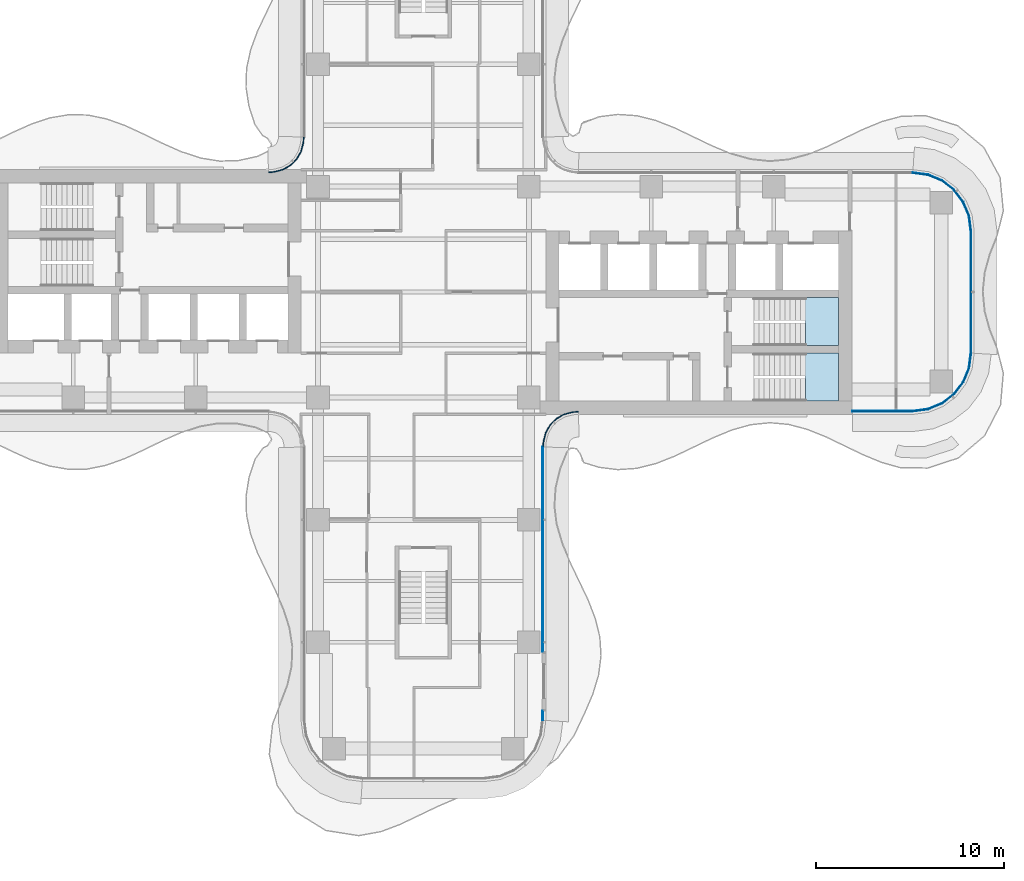
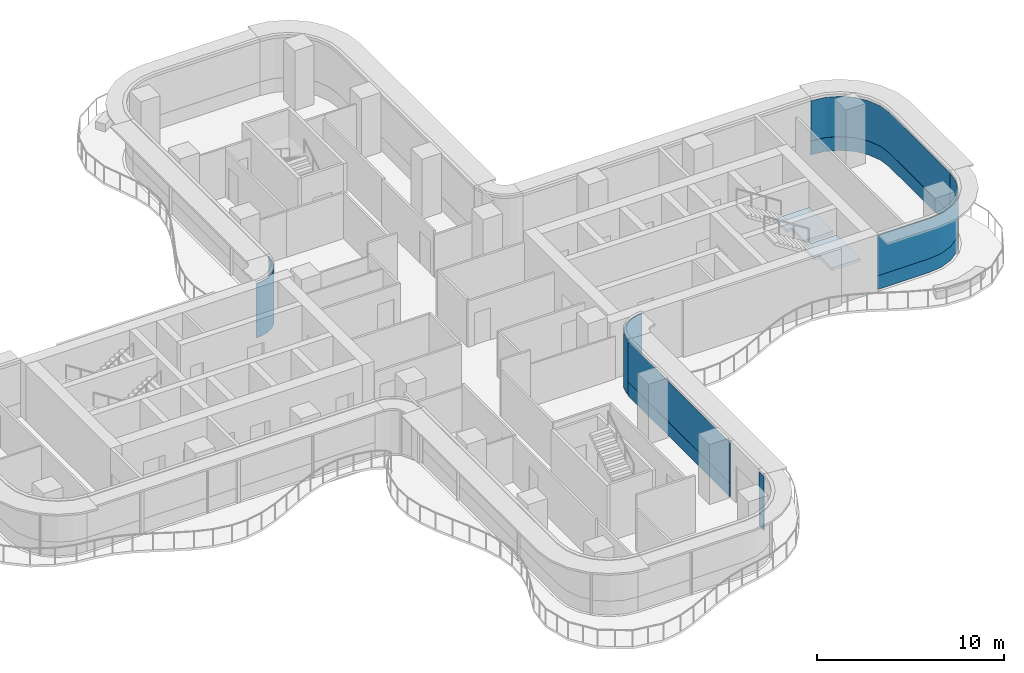
# One storey, part 11 of 18: 10 plates, 2 slabs, 8 elements without a shape of their own.
"""IFC4 building model written with IfcOpenShell, lengths in metres."""

from ifc_helpers import new_model, si_unit, direction, frame, origin, place, context, subcontext, project, spatial, polyline, outline, extrude, source, transform, mapped, material, layer, layer_set, type_object, element, aggregate, save


model = new_model("IFC4")

# Units and contexts
model_context = context("Model", 3, precision=1e-05, world=origin(), true_north=direction((0.0, 1.0)))
body_context = subcontext(model_context, "Body", "Model", "MODEL_VIEW")
ifc_project = project(units=[si_unit("LENGTHUNIT", "METRE"), si_unit("AREAUNIT", "SQUARE_METRE"), si_unit("VOLUMEUNIT", "CUBIC_METRE"), si_unit("PLANEANGLEUNIT", "RADIAN"), si_unit("MASSUNIT", "GRAM", prefix="KILO")], contexts=[model_context])

# Site, building, storey
site_placement = place(None, origin())
site = spatial("IfcSite", under=ifc_project, at=site_placement, CompositionType="ELEMENT")
building_placement = place(site_placement, origin())
building = spatial("IfcBuilding", under=site, at=building_placement, Name="Trellis Farm Tower", CompositionType="ELEMENT")
storey_placement = place(building_placement, frame((0.0, 0.0, 169.800048828125)))
storey = spatial("IfcBuildingStorey", under=building, at=storey_placement, Name="L36", CompositionType="ELEMENT", Elevation=169.800048828125)

# Stair, slab
ifc_material_1 = material(Name="Concrete C50/60", Category="concrete")
stair_type = type_object("IfcStairType", Name="CORE EXIT STAIR 22 RISERS 177 MM", PredefinedType="HALF_TURN_STAIR", material=ifc_material_1)
placement_1 = place(storey_placement, origin())
stair_1 = element("IfcStair", 1, at=placement_1, inside=storey, type_object=stair_type, Name="Exit stair E1", PredefinedType="HALF_TURN_STAIR")
ifc_layer_1 = layer(ifc_material_1, 0.18994140625)
ifc_layer_set_1 = layer_set([ifc_layer_1], Name="CORE STAIR LANDING 190 CONCRETE C50/60")
slab_type = type_object("IfcSlabType", Name="CORE STAIR LANDING 190 CONCRETE C50/60", PredefinedType="LANDING", material=ifc_layer_set_1)
shared_shape_1 = source(origin(), body_context, "Body", "SweptSolid", [
    extrude(outline(polyline([(20.2900390625, -5.800048828125), (20.2900390625, -4.60009765625), (20.300048828125, -4.60009765625), (20.300048828125, -4.449951171875), (19.971923828125, -4.449951171875), (19.971923828125, -3.25), (20.300048828125, -3.25), (22.050048828125, -3.25), (22.050048828125, -5.800048828125), (20.300048828125, -5.800048828125), (20.2900390625, -5.800048828125)])), origin(), (0.0, 0.0, 1.0), 0.18994140625),
])
placement_2 = place(storey_placement, frame((0.0, 0.0, 1.760009765625)))
slab_1 = element("IfcSlab", 2, at=placement_2, type_object=slab_type, Name="STE1 landing 1", PredefinedType="LANDING", context=body_context, shape_type="MappedRepresentation", body=[
    mapped(shared_shape_1, transform((0.0, 0.0, 0.0))),
])
aggregate(stair_1, [slab_1])

stair_2 = element("IfcStair", 3, at=placement_1, inside=storey, type_object=stair_type, Name="Exit stair E2", PredefinedType="HALF_TURN_STAIR")
shared_shape_2 = source(origin(), body_context, "Body", "SweptSolid", [
    extrude(outline(polyline([(20.2900390625, -2.85009765625), (20.2900390625, -1.64990234375), (20.300048828125, -1.64990234375), (20.300048828125, -1.5), (19.971923828125, -1.5), (19.971923828125, -0.300048828125), (20.300048828125, -0.300048828125), (22.050048828125, -0.300048828125), (22.050048828125, -2.85009765625), (20.300048828125, -2.85009765625), (20.2900390625, -2.85009765625)])), origin(), (0.0, 0.0, 1.0), 0.18994140625),
])
slab_2 = element("IfcSlab", 4, at=placement_2, type_object=slab_type, Name="STE2 landing 1", PredefinedType="LANDING", context=body_context, shape_type="MappedRepresentation", body=[
    mapped(shared_shape_2, transform((0.0, 0.0, 0.0))),
])
aggregate(stair_2, [slab_2])

# Curtain wall, plate
ifc_material_2 = material(Name="Aluminium and glass curtain wall", Category="aluminium")
ifc_layer_2 = layer(ifc_material_2, 0.18994140625)
ifc_layer_set_2 = layer_set([ifc_layer_2], Name="RIBBON CURTAIN WALL CW1")
curtain_wall_type_1 = type_object("IfcCurtainWallType", Name="RIBBON CURTAIN WALL CW1", PredefinedType="NOTDEFINED", material=ifc_layer_set_2)
curtain_wall_1 = element("IfcCurtainWall", 5, at=placement_1, inside=storey, type_object=curtain_wall_type_1, Name="CW1 006", PredefinedType="NOTDEFINED")
ifc_material_3 = material(Name="Sandstone faced insulated panel", Category="masonry")
ifc_layer_3 = layer(ifc_material_3, 0.050048828125)
ifc_layer_set_3 = layer_set([ifc_layer_3], Name="CW1 STONE SPANDREL PANEL 50")
plate_type_1 = type_object("IfcPlateType", Name="CW1 STONE SPANDREL PANEL 50", PredefinedType="CURTAIN_PANEL", material=ifc_layer_set_3)
shared_shape_3 = source(origin(), body_context, "Body", "SweptSolid", [
    extrude(outline(polyline([(22.780029296875, -6.35009765625), (25.990234375, -6.35009765625), (26.802001953125, -6.2431640625), (27.54931640625, -5.93359375), (28.191162109375, -5.441162109375), (28.68359375, -4.79931640625), (28.9931640625, -4.052001953125), (29.10009765625, -3.240234375), (29.050048828125, -3.23681640625), (28.9443359375, -4.0390625), (28.639892578125, -4.774169921875), (28.155517578125, -5.405517578125), (27.524169921875, -5.889892578125), (26.7890625, -6.1943359375), (25.98681640625, -6.300048828125), (22.780029296875, -6.300048828125), (22.780029296875, -6.35009765625)])), origin(), (0.0, 0.0, 1.0), 0.89990234375),
])
plate_1 = element("IfcPlate", 6, at=placement_1, type_object=plate_type_1, Name="PS1 006", PredefinedType="CURTAIN_PANEL", context=body_context, shape_type="MappedRepresentation", body=[
    mapped(shared_shape_3, transform((0.0, 0.0, 0.0))),
])

curtain_wall_2 = element("IfcCurtainWall", 7, at=placement_1, inside=storey, type_object=curtain_wall_type_1, Name="CW1 007", PredefinedType="NOTDEFINED")
shared_shape_4 = source(origin(), body_context, "Body", "SweptSolid", [
    extrude(outline(polyline([(29.10009765625, -3.240234375), (29.10009765625, 3.240234375), (28.9931640625, 4.052001953125), (28.68359375, 4.79931640625), (28.191162109375, 5.441162109375), (27.54931640625, 5.93359375), (26.802001953125, 6.2431640625), (25.990234375, 6.35009765625), (25.98681640625, 6.300048828125), (26.7890625, 6.1943359375), (27.524169921875, 5.889892578125), (28.155517578125, 5.405517578125), (28.639892578125, 4.774169921875), (28.9443359375, 4.0390625), (29.050048828125, 3.23681640625), (29.050048828125, -3.23681640625), (29.10009765625, -3.240234375)])), origin(), (0.0, 0.0, 1.0), 0.89990234375),
])
plate_2 = element("IfcPlate", 8, at=placement_1, type_object=plate_type_1, Name="PS1 007", PredefinedType="CURTAIN_PANEL", context=body_context, shape_type="MappedRepresentation", body=[
    mapped(shared_shape_4, transform((0.0, 0.0, 0.0))),
])

ifc_layer_4 = layer(ifc_material_2, 0.166015625)
ifc_layer_set_4 = layer_set([ifc_layer_4], Name="WINTER GARDEN CURTAIN WALL CW3")
curtain_wall_type_2 = type_object("IfcCurtainWallType", Name="WINTER GARDEN CURTAIN WALL CW3", PredefinedType="NOTDEFINED", material=ifc_layer_set_4)
curtain_wall_3 = element("IfcCurtainWall", 9, at=placement_1, inside=storey, type_object=curtain_wall_type_2, Name="CW3 002", PredefinedType="NOTDEFINED")
ifc_material_4 = material(Name="Clear insulated glass", Category="glass")
ifc_layer_5 = layer(ifc_material_4, 0.0458984375)
ifc_layer_set_5 = layer_set([ifc_layer_5], Name="CW3 GLASS PANEL 46")
plate_type_2 = type_object("IfcPlateType", Name="CW3 GLASS PANEL 46", PredefinedType="CURTAIN_PANEL", material=ifc_layer_set_5)
shared_shape_5 = source(origin(), body_context, "Body", "SweptSolid", [
    extrude(outline(polyline([(6.3798828125, -8.2275390625), (6.394287109375, -8.0078125), (6.40966796875, -7.89208984375), (6.52490234375, -7.462158203125), (6.7509765625, -7.070556640625), (7.070556640625, -6.7509765625), (7.462158203125, -6.52490234375), (7.89208984375, -6.40966796875), (8.0078125, -6.394287109375), (8.2275390625, -6.3798828125), (8.22607421875, -6.333984375), (8.003173828125, -6.3486328125), (7.883056640625, -6.364501953125), (7.4443359375, -6.48193359375), (7.04248046875, -6.714111328125), (6.714111328125, -7.04248046875), (6.48193359375, -7.4443359375), (6.364501953125, -7.883056640625), (6.3486328125, -8.003173828125), (6.333984375, -8.22607421875), (6.3798828125, -8.2275390625)])), origin(), (0.0, 0.0, 1.0), 3.550048828125),
])
plate_3 = element("IfcPlate", 10, at=placement_1, type_object=plate_type_2, Name="PL3 002", PredefinedType="CURTAIN_PANEL", context=body_context, shape_type="MappedRepresentation", body=[
    mapped(shared_shape_5, transform((0.0, 0.0, 0.0))),
])
aggregate(curtain_wall_3, [plate_3])

curtain_wall_4 = element("IfcCurtainWall", 11, at=placement_1, inside=storey, type_object=curtain_wall_type_2, Name="CW3 004", PredefinedType="NOTDEFINED")
shared_shape_6 = source(origin(), body_context, "Body", "SweptSolid", [
    extrude(outline(polyline([(-6.3798828125, 8.2275390625), (-6.394287109375, 8.0078125), (-6.40966796875, 7.89208984375), (-6.52490234375, 7.462158203125), (-6.7509765625, 7.070556640625), (-7.070556640625, 6.7509765625), (-7.462158203125, 6.52490234375), (-7.89208984375, 6.40966796875), (-8.0078125, 6.394287109375), (-8.2275390625, 6.3798828125), (-8.22607421875, 6.333984375), (-8.003173828125, 6.3486328125), (-7.883056640625, 6.364501953125), (-7.4443359375, 6.48193359375), (-7.04248046875, 6.714111328125), (-6.714111328125, 7.04248046875), (-6.48193359375, 7.4443359375), (-6.364501953125, 7.883056640625), (-6.3486328125, 8.003173828125), (-6.333984375, 8.22607421875), (-6.3798828125, 8.2275390625)])), origin(), (0.0, 0.0, 1.0), 3.550048828125),
])
plate_4 = element("IfcPlate", 12, at=placement_1, type_object=plate_type_2, Name="PL3 004", PredefinedType="CURTAIN_PANEL", context=body_context, shape_type="MappedRepresentation", body=[
    mapped(shared_shape_6, transform((0.0, 0.0, 0.0))),
])
aggregate(curtain_wall_4, [plate_4])

curtain_wall_5 = element("IfcCurtainWall", 13, at=placement_1, inside=storey, type_object=curtain_wall_type_1, Name="CW1 004", PredefinedType="NOTDEFINED")
shared_shape_7 = source(origin(), body_context, "Body", "SweptSolid", [
    extrude(outline(polyline([(6.35009765625, -22.740234375), (6.35009765625, -22.235107421875), (6.300048828125, -22.235107421875), (6.300048828125, -22.73681640625), (6.35009765625, -22.740234375)])), origin(), (0.0, 0.0, 1.0), 0.89990234375),
])
plate_5 = element("IfcPlate", 14, at=placement_1, type_object=plate_type_1, Name="PS1 004", PredefinedType="CURTAIN_PANEL", context=body_context, shape_type="MappedRepresentation", body=[
    mapped(shared_shape_7, transform((0.0, 0.0, 0.0))),
])

curtain_wall_6 = element("IfcCurtainWall", 15, at=placement_1, inside=storey, type_object=curtain_wall_type_1, Name="CW1 005", PredefinedType="NOTDEFINED")
shared_shape_8 = source(origin(), body_context, "Body", "SweptSolid", [
    extrude(outline(polyline([(6.35009765625, -19.114990234375), (6.35009765625, -8.2265625), (6.300048828125, -8.224853515625), (6.300048828125, -19.114990234375), (6.35009765625, -19.114990234375)])), origin(), (0.0, 0.0, 1.0), 0.89990234375),
])
plate_6 = element("IfcPlate", 16, at=placement_1, type_object=plate_type_1, Name="PS1 005", PredefinedType="CURTAIN_PANEL", context=body_context, shape_type="MappedRepresentation", body=[
    mapped(shared_shape_8, transform((0.0, 0.0, 0.0))),
])

# Plate
ifc_layer_6 = layer(ifc_material_4, 0.0400390625)
ifc_layer_set_6 = layer_set([ifc_layer_6], Name="CW1 GLASS PANEL 40")
plate_type_3 = type_object("IfcPlateType", Name="CW1 GLASS PANEL 40", PredefinedType="CURTAIN_PANEL", material=ifc_layer_set_6)
shared_shape_9 = source(origin(), body_context, "Body", "SweptSolid", [
    extrude(outline(polyline([(22.780029296875, -6.35009765625), (25.990234375, -6.35009765625), (26.802001953125, -6.2431640625), (27.54931640625, -5.93359375), (28.191162109375, -5.441162109375), (28.68359375, -4.79931640625), (28.9931640625, -4.052001953125), (29.10009765625, -3.240234375), (29.06005859375, -3.237548828125), (28.9541015625, -4.04150390625), (28.648681640625, -4.779296875), (28.16259765625, -5.41259765625), (27.529296875, -5.898681640625), (26.79150390625, -6.2041015625), (25.987548828125, -6.31005859375), (22.780029296875, -6.31005859375), (22.780029296875, -6.35009765625)])), origin(), (0.0, 0.0, 1.0), 2.6201171875),
])
placement_3 = place(storey_placement, frame((0.0, 0.0, 0.89990234375)))
plate_7 = element("IfcPlate", 17, at=placement_3, type_object=plate_type_3, Name="PL1 006", PredefinedType="CURTAIN_PANEL", context=body_context, shape_type="MappedRepresentation", body=[
    mapped(shared_shape_9, transform((0.0, 0.0, 0.0))),
])

aggregate(curtain_wall_1, [plate_7, plate_1])

shared_shape_10 = source(origin(), body_context, "Body", "SweptSolid", [
    extrude(outline(polyline([(29.10009765625, -3.240234375), (29.10009765625, 3.240234375), (28.9931640625, 4.052001953125), (28.68359375, 4.79931640625), (28.191162109375, 5.441162109375), (27.54931640625, 5.93359375), (26.802001953125, 6.2431640625), (25.990234375, 6.35009765625), (25.987548828125, 6.31005859375), (26.79150390625, 6.2041015625), (27.529296875, 5.898681640625), (28.16259765625, 5.41259765625), (28.648681640625, 4.779296875), (28.9541015625, 4.04150390625), (29.06005859375, 3.237548828125), (29.06005859375, -3.237548828125), (29.10009765625, -3.240234375)])), origin(), (0.0, 0.0, 1.0), 2.6201171875),
])
plate_8 = element("IfcPlate", 18, at=placement_3, type_object=plate_type_3, Name="PL1 007", PredefinedType="CURTAIN_PANEL", context=body_context, shape_type="MappedRepresentation", body=[
    mapped(shared_shape_10, transform((0.0, 0.0, 0.0))),
])

aggregate(curtain_wall_2, [plate_8, plate_2])

shared_shape_11 = source(origin(), body_context, "Body", "SweptSolid", [
    extrude(outline(polyline([(6.35009765625, -22.740234375), (6.35009765625, -22.235107421875), (6.31005859375, -22.235107421875), (6.31005859375, -22.737548828125), (6.35009765625, -22.740234375)])), origin(), (0.0, 0.0, 1.0), 2.6201171875),
])
plate_9 = element("IfcPlate", 19, at=placement_3, type_object=plate_type_3, Name="PL1 004", PredefinedType="CURTAIN_PANEL", context=body_context, shape_type="MappedRepresentation", body=[
    mapped(shared_shape_11, transform((0.0, 0.0, 0.0))),
])

aggregate(curtain_wall_5, [plate_9, plate_5])

shared_shape_12 = source(origin(), body_context, "Body", "SweptSolid", [
    extrude(outline(polyline([(6.35009765625, -19.114990234375), (6.35009765625, -8.2265625), (6.31005859375, -8.22509765625), (6.31005859375, -19.114990234375), (6.35009765625, -19.114990234375)])), origin(), (0.0, 0.0, 1.0), 2.6201171875),
])
plate_10 = element("IfcPlate", 20, at=placement_3, type_object=plate_type_3, Name="PL1 005", PredefinedType="CURTAIN_PANEL", context=body_context, shape_type="MappedRepresentation", body=[
    mapped(shared_shape_12, transform((0.0, 0.0, 0.0))),
])

aggregate(curtain_wall_6, [plate_10, plate_6])

save(model, "model.ifc")
